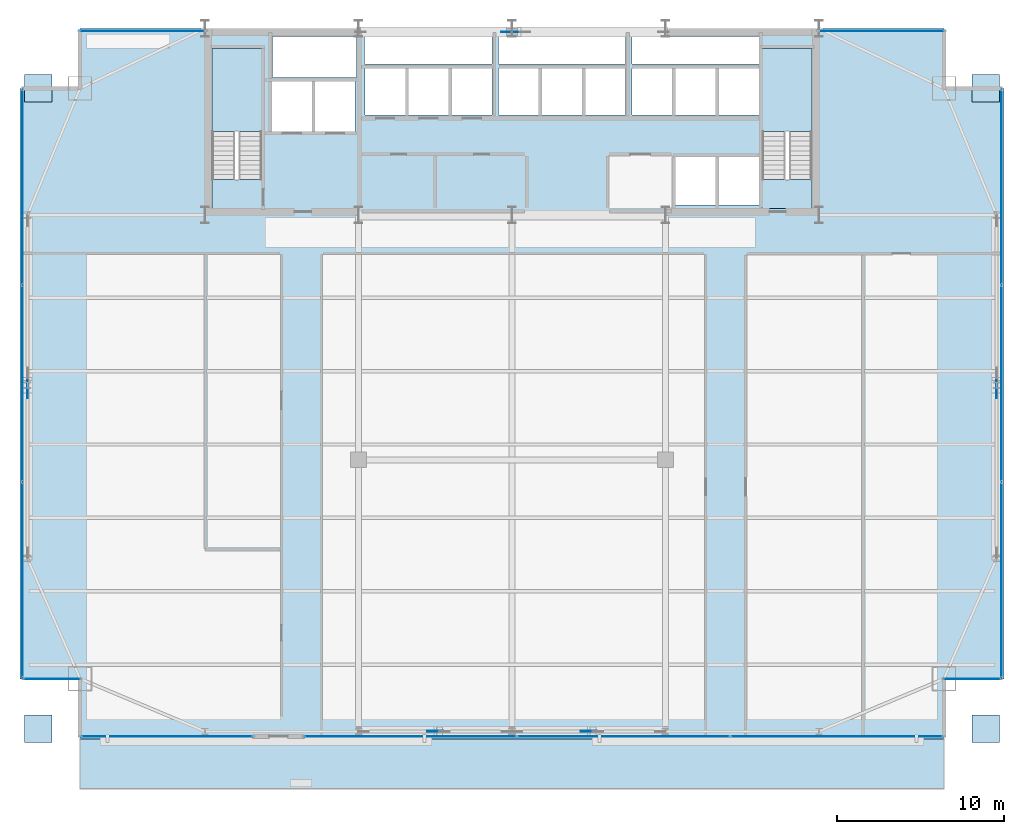
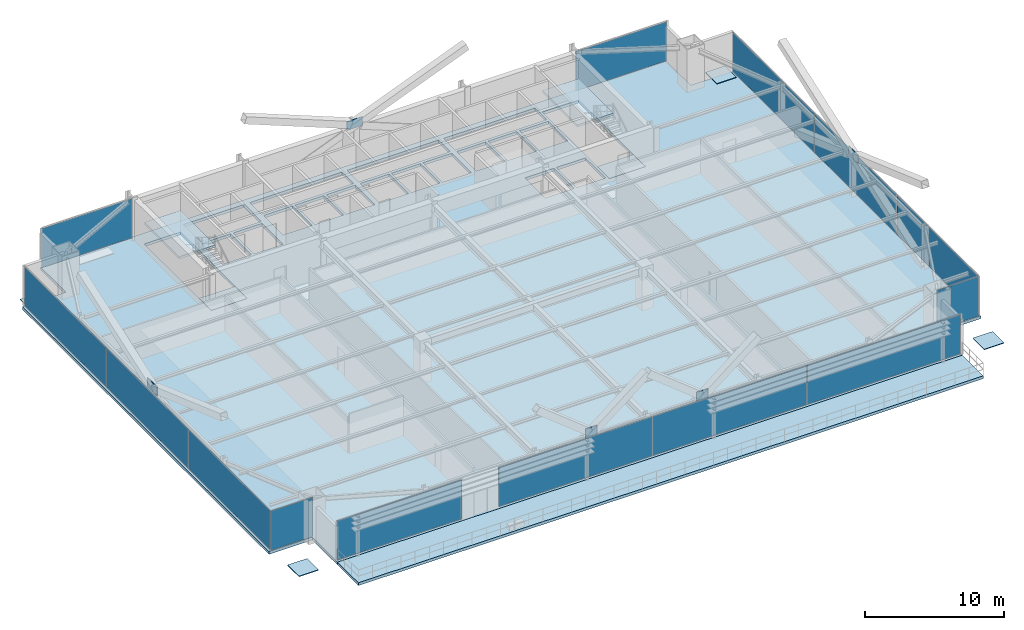
# One storey, part 27 of 35: 23 plates, 6 slabs, 10 elements without a shape of their own.
"""IFC4 building model written with IfcOpenShell, lengths in metres."""

from ifc_helpers import new_model, si_unit, direction, frame, origin, origin_2d, place, context, subcontext, project, spatial, polyline, rectangle, outline, extrude, source, transform, mapped, material, layer, layer_set, type_object, type_shapes, element, aggregate, save


model = new_model("IFC4")

# Units and contexts
model_context = context("Model", 3, precision=1e-05, world=origin(), true_north=direction((0.0, 1.0)))
body_context = subcontext(model_context, "Body", "Model", "MODEL_VIEW")
ifc_project = project(units=[si_unit("LENGTHUNIT", "METRE"), si_unit("AREAUNIT", "SQUARE_METRE"), si_unit("VOLUMEUNIT", "CUBIC_METRE"), si_unit("PLANEANGLEUNIT", "RADIAN"), si_unit("MASSUNIT", "GRAM", prefix="KILO")], contexts=[model_context])

# Site, building, storey
site_placement = place(None, origin())
site = spatial("IfcSite", under=ifc_project, at=site_placement, CompositionType="ELEMENT")
building_placement = place(site_placement, origin())
building = spatial("IfcBuilding", under=site, at=building_placement, Name="Varnel Quay Broadcast Tower", CompositionType="ELEMENT")
storey_placement = place(building_placement, frame((0.0, 0.0, 87.0)))
storey = spatial("IfcBuildingStorey", under=building, at=storey_placement, Name="L20", CompositionType="ELEMENT", Elevation=87.0)

# Slabs
ifc_material_1 = material(Name="Concrete CSA A23.3 C40/50", Category="concrete")
ifc_layer_1 = layer(ifc_material_1, 0.25, Name="Concrete CSA A23.3 C40/50")
ifc_layer_set_1 = layer_set([ifc_layer_1], Name="Concrete CSA A23.3 C40/50")
slab_type_1 = type_object("IfcSlabType", Name="Slab_ExtTerrace250", PredefinedType="FLOOR", material=ifc_layer_set_1)
slab_1_placement = place(storey_placement, frame((0.0, 0.0, -0.25)))
element("IfcSlab", 1, at=slab_1_placement, inside=storey, type_object=slab_type_1, Name="L20 Planted Lobe Terrace Slab 1", PredefinedType="FLOOR", context=body_context, shape_type="SweptSolid", body=[
    extrude(outline(polyline([(8.10009765625, 1.199951171875), (59.89990234375, 1.199951171875), (59.89990234375, 4.199951171875), (8.10009765625, 4.199951171875), (8.10009765625, 1.199951171875)])), origin(), (0.0, 0.0, 1.0), 0.25),
])
ifc_material_2 = material(Name="Concrete CSA A23.3 C50/60", Category="concrete")
ifc_layer_2 = layer(ifc_material_2, 0.25, Name="Concrete CSA A23.3 C50/60")
ifc_layer_set_2 = layer_set([ifc_layer_2], Name="Concrete CSA A23.3 C50/60")
slab_type_2 = type_object("IfcSlabType", Name="Slab_Floor250", PredefinedType="FLOOR", material=ifc_layer_set_2)
slab_2_placement = place(storey_placement, frame((0.0, 0.0, -0.25)))
element("IfcSlab", 2, at=slab_2_placement, inside=storey, type_object=slab_type_2, Name="L20 Structural Slab", PredefinedType="FLOOR", context=body_context, shape_type="SweptSolid", body=[
    extrude(outline(polyline([(8.10009765625, 4.199951171875), (59.89990234375, 4.199951171875), (59.89990234375, 7.800048828125), (63.5, 7.800048828125), (63.5, 43.199951171875), (59.89990234375, 43.199951171875), (59.89990234375, 46.800048828125), (8.10009765625, 46.800048828125), (8.10009765625, 43.199951171875), (4.5, 43.199951171875), (4.5, 7.800048828125), (8.10009765625, 7.800048828125), (8.10009765625, 4.199951171875)]), holes=[polyline([(16.0, 36.0), (16.0, 45.60009765625), (19.0, 45.60009765625), (19.0, 36.0), (16.0, 36.0)]), polyline([(19.60009765625, 43.60009765625), (22.0, 43.60009765625), (22.0, 40.60009765625), (19.60009765625, 40.60009765625), (19.60009765625, 43.60009765625)]), polyline([(22.199951171875, 43.60009765625), (24.60009765625, 43.60009765625), (24.60009765625, 40.60009765625), (22.199951171875, 40.60009765625), (22.199951171875, 43.60009765625)]), polyline([(25.199951171875, 44.39990234375), (27.60009765625, 44.39990234375), (27.60009765625, 41.60009765625), (25.199951171875, 41.60009765625), (25.199951171875, 44.39990234375)]), polyline([(27.800048828125, 44.39990234375), (30.199951171875, 44.39990234375), (30.199951171875, 41.60009765625), (27.800048828125, 41.60009765625), (27.800048828125, 44.39990234375)]), polyline([(30.39990234375, 44.39990234375), (32.800048828125, 44.39990234375), (32.800048828125, 41.60009765625), (30.39990234375, 41.60009765625), (30.39990234375, 44.39990234375)]), polyline([(33.199951171875, 44.39990234375), (35.60009765625, 44.39990234375), (35.60009765625, 41.60009765625), (33.199951171875, 41.60009765625), (33.199951171875, 44.39990234375)]), polyline([(38.199951171875, 44.39990234375), (38.199951171875, 41.60009765625), (35.800048828125, 41.60009765625), (35.800048828125, 44.39990234375), (38.199951171875, 44.39990234375)]), polyline([(24.679931640625, 46.300048828125), (24.679931640625, 43.85009765625), (19.64990234375, 43.85009765625), (19.64990234375, 46.300048828125), (24.679931640625, 46.300048828125)]), polyline([(25.14990234375, 46.300048828125), (32.800048828125, 46.300048828125), (32.800048828125, 44.64990234375), (25.14990234375, 44.64990234375), (25.14990234375, 46.300048828125)]), polyline([(43.800048828125, 39.10009765625), (46.199951171875, 39.10009765625), (46.199951171875, 36.199951171875), (43.800048828125, 36.199951171875), (43.800048828125, 39.10009765625)]), polyline([(46.39990234375, 39.10009765625), (48.800048828125, 39.10009765625), (48.800048828125, 36.199951171875), (46.39990234375, 36.199951171875), (46.39990234375, 39.10009765625)]), polyline([(49.0, 45.60009765625), (52.0, 45.60009765625), (52.0, 36.0), (49.0, 36.0), (49.0, 45.60009765625)]), polyline([(40.800048828125, 44.39990234375), (40.800048828125, 41.60009765625), (38.39990234375, 41.60009765625), (38.39990234375, 44.39990234375), (40.800048828125, 44.39990234375)]), polyline([(41.199951171875, 44.39990234375), (43.60009765625, 44.39990234375), (43.60009765625, 41.60009765625), (41.199951171875, 41.60009765625), (41.199951171875, 44.39990234375)]), polyline([(43.800048828125, 44.39990234375), (46.199951171875, 44.39990234375), (46.199951171875, 41.60009765625), (43.800048828125, 41.60009765625), (43.800048828125, 44.39990234375)]), polyline([(46.39990234375, 44.39990234375), (48.800048828125, 44.39990234375), (48.800048828125, 41.60009765625), (46.39990234375, 41.60009765625), (46.39990234375, 44.39990234375)]), polyline([(40.800048828125, 46.300048828125), (40.800048828125, 44.64990234375), (33.199951171875, 44.64990234375), (33.199951171875, 46.300048828125), (40.800048828125, 46.300048828125)]), polyline([(48.800048828125, 46.300048828125), (48.800048828125, 44.64990234375), (41.199951171875, 44.64990234375), (41.199951171875, 46.300048828125), (48.800048828125, 46.300048828125)])]), origin(), (0.0, 0.0, 1.0), 0.25),
])
ifc_layer_3 = layer(ifc_material_2, 0.25, Name="Concrete CSA A23.3 C50/60")
ifc_layer_set_3 = layer_set([ifc_layer_3], Name="Concrete CSA A23.3 C50/60")
slab_type_3 = type_object("IfcSlabType", Name="Slab_StairFloorLanding250", PredefinedType="FLOOR", material=ifc_layer_set_3)
slab_3_placement = place(storey_placement, frame((0.0, 0.0, -0.25)))
element("IfcSlab", 3, at=slab_3_placement, inside=storey, type_object=slab_type_3, Name="L20 ST-01 Structural Floor Landing Slab", PredefinedType="FLOOR", context=body_context, shape_type="SweptSolid", body=[
    extrude(outline(polyline([(19.0, 36.0), (19.0, 37.75), (16.0, 37.75), (16.0, 36.0), (19.0, 36.0)])), origin(), (0.0, 0.0, 1.0), 0.25),
])
slab_4_placement = place(storey_placement, frame((0.0, 0.0, -0.25)))
element("IfcSlab", 4, at=slab_4_placement, inside=storey, type_object=slab_type_3, Name="L20 ST-02 Structural Floor Landing Slab", PredefinedType="FLOOR", context=body_context, shape_type="SweptSolid", body=[
    extrude(outline(polyline([(52.0, 36.0), (52.0, 37.75), (49.0, 37.75), (49.0, 36.0), (52.0, 36.0)])), origin(), (0.0, 0.0, 1.0), 0.25),
])

# Stair, slab
ifc_material_3 = material(Name="Precast Structural Concrete C40/50", Category="concrete")
stair_type_1 = type_object("IfcStairType", Name="Stair_ST-01", PredefinedType="HALF_TURN_STAIR", material=ifc_material_3)
stair_1_placement = place(storey_placement, origin())
stair_1 = element("IfcStair", 5, at=stair_1_placement, inside=storey, type_object=stair_type_1, Name="L20 West Core Exit Stair 1", PredefinedType="HALF_TURN_STAIR")
ifc_layer_4 = layer(ifc_material_3, 0.199951171875, Name="Precast Structural Concrete C40/50")
ifc_layer_set_4 = layer_set([ifc_layer_4], Name="Precast Structural Concrete C40/50")
slab_type_4 = type_object("IfcSlabType", Name="Slab_StairLanding200", PredefinedType="LANDING", material=ifc_layer_set_4)
slab_5_placement = place(storey_placement, frame((0.0, 0.0, 1.699951171875)))
slab_5 = element("IfcSlab", 6, at=slab_5_placement, type_object=slab_type_4, Name="ST-01 landing 1", PredefinedType="LANDING", context=body_context, shape_type="SweptSolid", body=[
    extrude(outline(polyline([(19.0, 40.60009765625), (19.0, 45.60009765625), (16.0, 45.60009765625), (16.0, 40.60009765625), (19.0, 40.60009765625)])), origin(), (0.0, 0.0, 1.0), 0.199951171875),
])
aggregate(stair_1, [slab_5])

stair_type_2 = type_object("IfcStairType", Name="Stair_ST-02", PredefinedType="HALF_TURN_STAIR", material=ifc_material_3)
stair_2_placement = place(storey_placement, origin())
stair_2 = element("IfcStair", 7, at=stair_2_placement, inside=storey, type_object=stair_type_2, Name="L20 East Core Exit Stair 2", PredefinedType="HALF_TURN_STAIR")
slab_6_placement = place(storey_placement, frame((0.0, 0.0, 1.699951171875)))
slab_6 = element("IfcSlab", 8, at=slab_6_placement, type_object=slab_type_4, Name="ST-02 landing 1", PredefinedType="LANDING", context=body_context, shape_type="SweptSolid", body=[
    extrude(outline(polyline([(52.0, 40.60009765625), (52.0, 45.60009765625), (49.0, 45.60009765625), (49.0, 40.60009765625), (52.0, 40.60009765625)])), origin(), (0.0, 0.0, 1.0), 0.199951171875),
])
aggregate(stair_2, [slab_6])

# Plates
ifc_material_4 = material(Name="Structural Steel CSA G40.21 350WT", Category="steel")
ifc_layer_5 = layer(ifc_material_4, 0.050048828125, Name="Structural Steel CSA G40.21 350WT")
ifc_layer_set_5 = layer_set([ifc_layer_5], Name="Structural Steel CSA G40.21 350WT")
plate_type_1 = type_object("IfcPlateType", Name="Plate_BasePlate", PredefinedType="SHEET", material=ifc_layer_set_5)
shared_shape_1 = source(origin(), body_context, "Body", "SweptSolid", [
    extrude(rectangle(XDim=1.639892578125, YDim=1.639892578125, at=origin_2d()), origin(), (0.0, 0.0, 1.0), 0.050048828125),
])
type_shapes(plate_type_1, [shared_shape_1])
for number, where, z_axis, x_axis, name in (
    (9, (5.60009765625, 4.800048828125, -0.0048828125), (0.0, 0.0, 1.0), (1.0, 0.0, 0.0), "L19 Hollow Column Top Cap Plate MC-SW"),
    (10, (62.39990234375, 4.800048828125, -0.0048828125), (0.0, 0.0, 1.0), (1.0, 0.0, 0.0), "L19 Hollow Column Top Cap Plate MC-SE"),
    (11, (62.39990234375, 43.199951171875, -0.0048828125), (0.0, 0.0, 1.0), (1.0, 0.0, 0.0), "L19 Hollow Column Top Cap Plate MC-NE"),
    (12, (5.60009765625, 43.199951171875, -0.0048828125), (0.0, 0.0, 1.0), (1.0, 0.0, 0.0), "L19 Hollow Column Top Cap Plate MC-NW"),
):
    element("IfcPlate", number, at=place(storey_placement, frame(where, z_axis=z_axis, x_axis=x_axis)), inside=storey, type_object=plate_type_1, Name=name, PredefinedType="SHEET", context=body_context, shape_type="MappedRepresentation", body=[
        mapped(shared_shape_1, transform((0.0, 0.0, 0.0), x_axis=(1.0, 0.0, 0.0), y_axis=(0.0, 1.0, 0.0), z_axis=(0.0, 0.0, 1.0), scale=1.0)),
    ])
ifc_layer_6 = layer(ifc_material_4, 0.0400390625, Name="Structural Steel CSA G40.21 350WT")
ifc_layer_set_6 = layer_set([ifc_layer_6], Name="Structural Steel CSA G40.21 350WT")
plate_type_2 = type_object("IfcPlateType", Name="Plate_MegaGusset", PredefinedType="USERDEFINED", material=ifc_layer_set_6)
shared_shape_2 = source(origin(), body_context, "Body", "SweptSolid", [
    extrude(rectangle(XDim=0.9609375, YDim=0.0400390625, at=origin_2d()), origin(), (0.0, 0.0, 1.0), 0.85400390625),
])
for number, where, z_axis, x_axis, name in (
    (13, (29.39990234375, 4.64990234375, 3.248046875), (0.0, 0.0, 1.0), (1.0, 0.0, 0.0), "Zone 2 Mega-Brace S-C1T1 Central X-Crossing Gusset Plate"),
    (14, (38.60009765625, 4.64990234375, 3.248046875), (0.0, 0.0, 1.0), (1.0, 0.0, 0.0), "Zone 2 Mega-Brace S-C2T1 Central X-Crossing Gusset Plate"),
):
    element("IfcPlate", number, at=place(storey_placement, frame(where, z_axis=z_axis, x_axis=x_axis)), inside=storey, type_object=plate_type_2, Name=name, ObjectType="GUSSET_PLATE", PredefinedType="USERDEFINED", context=body_context, shape_type="MappedRepresentation", body=[
        mapped(shared_shape_2, transform((0.0, 0.0, 0.0), x_axis=(1.0, 0.0, 0.0), y_axis=(0.0, 1.0, 0.0), z_axis=(0.0, 0.0, 1.0), scale=1.0)),
    ])
shared_shape_3 = source(origin(), body_context, "Body", "SweptSolid", [
    extrude(rectangle(XDim=1.299072265625, YDim=0.0400390625, at=origin_2d()), origin(), (0.0, 0.0, 1.0), 0.781005859375),
])
plate_1_placement = place(storey_placement, frame((34.0, 46.580078125, 3.28466796875), z_axis=(0.0, 0.0, 1.0), x_axis=(1.0, 0.0, 0.0)))
element("IfcPlate", 15, at=plate_1_placement, inside=storey, type_object=plate_type_2, Name="Zone 2 Mega-Brace N-CT1 Central X-Crossing Gusset Plate", ObjectType="GUSSET_PLATE", PredefinedType="USERDEFINED", context=body_context, shape_type="MappedRepresentation", body=[
    mapped(shared_shape_3, transform((0.0, 0.0, 0.0), x_axis=(1.0, 0.0, 0.0), y_axis=(0.0, 1.0, 0.0), z_axis=(0.0, 0.0, 1.0), scale=1.0)),
])
shared_shape_4 = source(origin(), body_context, "Body", "SweptSolid", [
    extrude(rectangle(XDim=1.384033203125, YDim=0.0400390625, at=origin_2d()), origin(), (0.0, 0.0, 1.0), 0.77490234375),
])
type_shapes(plate_type_2, [shared_shape_2, shared_shape_3, shared_shape_4])
for number, where, z_axis, x_axis, name in (
    (16, (4.949951171875, 25.300048828125, 3.28759765625), (0.0, 0.0, 1.0), (0.0, 1.0, 0.0), "Zone 2 Mega-Brace W-FT1 Central X-Crossing Gusset Plate"),
    (17, (63.050048828125, 25.300048828125, 3.28759765625), (0.0, 0.0, 1.0), (0.0, 1.0, 0.0), "Zone 2 Mega-Brace E-FT1 Central X-Crossing Gusset Plate"),
):
    element("IfcPlate", number, at=place(storey_placement, frame(where, z_axis=z_axis, x_axis=x_axis)), inside=storey, type_object=plate_type_2, Name=name, ObjectType="GUSSET_PLATE", PredefinedType="USERDEFINED", context=body_context, shape_type="MappedRepresentation", body=[
        mapped(shared_shape_4, transform((0.0, 0.0, 0.0), x_axis=(1.0, 0.0, 0.0), y_axis=(0.0, 1.0, 0.0), z_axis=(0.0, 0.0, 1.0), scale=1.0)),
    ])

# Curtain wall, plate
ifc_material_5 = material(Name="Anodised Bronze Aluminium 6063-T6", Category="aluminium")
ifc_layer_7 = layer(ifc_material_5, 0.18994140625, Name="Anodised Bronze Aluminium 6063-T6")
ifc_layer_set_7 = layer_set([ifc_layer_7], Name="Anodised Bronze Aluminium 6063-T6")
curtain_wall_type_1 = type_object("IfcCurtainWallType", Name="CW_LowerTower", PredefinedType="NOTDEFINED", material=ifc_layer_set_7)
curtain_wall_1_placement = place(storey_placement, origin())
curtain_wall_1 = element("IfcCurtainWall", 18, at=curtain_wall_1_placement, inside=storey, type_object=curtain_wall_type_1, Name="L20 South Unitised Curtain Wall 1", PredefinedType="NOTDEFINED")
ifc_material_6 = material(Name="Triple-Glazed Bronze Low-E Architectural Glass", Category="glass")
ifc_layer_8 = layer(ifc_material_6, 0.031982421875, Name="Triple-Glazed Bronze Low-E Architectural Glass")
ifc_layer_set_8 = layer_set([ifc_layer_8], Name="Triple-Glazed Bronze Low-E Architectural Glass")
plate_type_3 = type_object("IfcPlateType", Name="Panel_CWS-02", PredefinedType="CURTAIN_PANEL", material=ifc_layer_set_8)
shared_shape_5 = source(origin(), body_context, "Body", "SweptSolid", [
    extrude(rectangle(XDim=10.280029296875, YDim=0.031982421875, at=origin_2d()), origin(), (0.0, 0.0, 1.0), 3.429931640625),
])
plate_2_placement = place(storey_placement, frame((13.31005859375, 4.35009765625, 0.06005859375), z_axis=(0.0, 0.0, 1.0), x_axis=(1.0, 0.0, 0.0)))
plate_2 = element("IfcPlate", 19, at=plate_2_placement, type_object=plate_type_3, Name="CWS-02 panel 1.1", PredefinedType="CURTAIN_PANEL", context=body_context, shape_type="MappedRepresentation", body=[
    mapped(shared_shape_5, transform((0.0, 0.0, 0.0), x_axis=(1.0, 0.0, 0.0), y_axis=(0.0, 1.0, 0.0), z_axis=(0.0, 0.0, 1.0), scale=1.0)),
])
aggregate(curtain_wall_1, [plate_2])

# Curtain wall, plates
curtain_wall_2_placement = place(storey_placement, origin())
curtain_wall_2 = element("IfcCurtainWall", 20, at=curtain_wall_2_placement, inside=storey, type_object=curtain_wall_type_1, Name="L20 South Unitised Curtain Wall 2", PredefinedType="NOTDEFINED")
ifc_material_7 = material(Name="Insulated Bronze Spandrel Glass", Category="glass")
ifc_layer_9 = layer(ifc_material_7, 0.031982421875, Name="Insulated Bronze Spandrel Glass")
ifc_layer_set_9 = layer_set([ifc_layer_9], Name="Insulated Bronze Spandrel Glass")
plate_type_4 = type_object("IfcPlateType", Name="PanelSp_CWS-02", PredefinedType="CURTAIN_PANEL", material=ifc_layer_set_9)
shared_shape_6 = source(origin(), body_context, "Body", "SweptSolid", [
    extrude(rectangle(XDim=12.70166015625, YDim=0.031982421875, at=origin_2d()), origin(), (0.0, 0.0, 1.0), 3.429931640625),
])
plate_3_placement = place(storey_placement, frame((27.90087890625, 4.35009765625, 0.06005859375), z_axis=(0.0, 0.0, 1.0), x_axis=(1.0, 0.0, 0.0)))
plate_3 = element("IfcPlate", 21, at=plate_3_placement, type_object=plate_type_4, Name="CWS-02 panel 1.1", PredefinedType="CURTAIN_PANEL", context=body_context, shape_type="MappedRepresentation", body=[
    mapped(shared_shape_6, transform((0.0, 0.0, 0.0), x_axis=(1.0, 0.0, 0.0), y_axis=(0.0, 1.0, 0.0), z_axis=(0.0, 0.0, 1.0), scale=1.0)),
])
shared_shape_7 = source(origin(), body_context, "Body", "SweptSolid", [
    extrude(rectangle(XDim=12.736572265625, YDim=0.031982421875, at=origin_2d()), origin(), (0.0, 0.0, 1.0), 3.429931640625),
])
plate_4_placement = place(storey_placement, frame((40.68994140625, 4.35009765625, 0.06005859375), z_axis=(0.0, 0.0, 1.0), x_axis=(1.0, 0.0, 0.0)))
plate_4 = element("IfcPlate", 22, at=plate_4_placement, type_object=plate_type_4, Name="CWS-02 panel 2.1", PredefinedType="CURTAIN_PANEL", context=body_context, shape_type="MappedRepresentation", body=[
    mapped(shared_shape_7, transform((0.0, 0.0, 0.0), x_axis=(1.0, 0.0, 0.0), y_axis=(0.0, 1.0, 0.0), z_axis=(0.0, 0.0, 1.0), scale=1.0)),
])
shared_shape_8 = source(origin(), body_context, "Body", "SweptSolid", [
    extrude(rectangle(XDim=12.70166015625, YDim=0.031982421875, at=origin_2d()), origin(), (0.0, 0.0, 1.0), 3.429931640625),
])
plate_5_placement = place(storey_placement, frame((53.479248046875, 4.35009765625, 0.06005859375), z_axis=(0.0, 0.0, 1.0), x_axis=(1.0, 0.0, 0.0)))
plate_5 = element("IfcPlate", 23, at=plate_5_placement, type_object=plate_type_3, Name="CWS-02 panel 3.1", PredefinedType="CURTAIN_PANEL", context=body_context, shape_type="MappedRepresentation", body=[
    mapped(shared_shape_8, transform((0.0, 0.0, 0.0), x_axis=(1.0, 0.0, 0.0), y_axis=(0.0, 1.0, 0.0), z_axis=(0.0, 0.0, 1.0), scale=1.0)),
])
aggregate(curtain_wall_2, [plate_3, plate_4, plate_5])

curtain_wall_3_placement = place(storey_placement, origin())
curtain_wall_3 = element("IfcCurtainWall", 24, at=curtain_wall_3_placement, inside=storey, type_object=curtain_wall_type_1, Name="L20 West Unitised Curtain Wall", PredefinedType="NOTDEFINED")
shared_shape_9 = source(origin(), body_context, "Body", "SweptSolid", [
    extrude(rectangle(XDim=11.695068359375, YDim=0.031982421875, at=origin_2d()), origin(), (0.0, 0.0, 1.0), 3.429931640625),
])
plate_6_placement = place(storey_placement, frame((4.64990234375, 13.717529296875, 0.06005859375), z_axis=(0.0, 0.0, 1.0), x_axis=(0.0, 1.0, 0.0)))
plate_6 = element("IfcPlate", 25, at=plate_6_placement, type_object=plate_type_4, Name="CWS-02 panel 1.1", PredefinedType="CURTAIN_PANEL", context=body_context, shape_type="MappedRepresentation", body=[
    mapped(shared_shape_9, transform((0.0, 0.0, 0.0), x_axis=(1.0, 0.0, 0.0), y_axis=(0.0, 1.0, 0.0), z_axis=(0.0, 0.0, 1.0), scale=1.0)),
])
plate_7_placement = place(storey_placement, frame((4.64990234375, 37.282470703125, 0.06005859375), z_axis=(0.0, 0.0, 1.0), x_axis=(0.0, 1.0, 0.0)))
plate_7 = element("IfcPlate", 26, at=plate_7_placement, type_object=plate_type_4, Name="CWS-02 panel 3.1", PredefinedType="CURTAIN_PANEL", context=body_context, shape_type="MappedRepresentation", body=[
    mapped(shared_shape_9, transform((0.0, 0.0, 0.0), x_axis=(1.0, 0.0, 0.0), y_axis=(0.0, 1.0, 0.0), z_axis=(0.0, 0.0, 1.0), scale=1.0)),
])

curtain_wall_4_placement = place(storey_placement, origin())
curtain_wall_4 = element("IfcCurtainWall", 27, at=curtain_wall_4_placement, inside=storey, type_object=curtain_wall_type_1, Name="L20 East Unitised Curtain Wall", PredefinedType="NOTDEFINED")
plate_8_placement = place(storey_placement, frame((63.35009765625, 13.717529296875, 0.06005859375), z_axis=(0.0, 0.0, 1.0), x_axis=(0.0, 1.0, 0.0)))
plate_8 = element("IfcPlate", 28, at=plate_8_placement, type_object=plate_type_4, Name="CWS-02 panel 1.1", PredefinedType="CURTAIN_PANEL", context=body_context, shape_type="MappedRepresentation", body=[
    mapped(shared_shape_9, transform((0.0, 0.0, 0.0), x_axis=(1.0, 0.0, 0.0), y_axis=(0.0, 1.0, 0.0), z_axis=(0.0, 0.0, 1.0), scale=1.0)),
])
plate_9_placement = place(storey_placement, frame((63.35009765625, 37.282470703125, 0.06005859375), z_axis=(0.0, 0.0, 1.0), x_axis=(0.0, 1.0, 0.0)))
plate_9 = element("IfcPlate", 29, at=plate_9_placement, type_object=plate_type_4, Name="CWS-02 panel 3.1", PredefinedType="CURTAIN_PANEL", context=body_context, shape_type="MappedRepresentation", body=[
    mapped(shared_shape_9, transform((0.0, 0.0, 0.0), x_axis=(1.0, 0.0, 0.0), y_axis=(0.0, 1.0, 0.0), z_axis=(0.0, 0.0, 1.0), scale=1.0)),
])

# Plate
shared_shape_10 = source(origin(), body_context, "Body", "SweptSolid", [
    extrude(rectangle(XDim=11.72998046875, YDim=0.031982421875, at=origin_2d()), origin(), (0.0, 0.0, 1.0), 3.429931640625),
])
type_shapes(plate_type_4, [shared_shape_6, shared_shape_7, shared_shape_9, shared_shape_10])
plate_10_placement = place(storey_placement, frame((4.64990234375, 25.5, 0.06005859375), z_axis=(0.0, 0.0, 1.0), x_axis=(0.0, 1.0, 0.0)))
plate_10 = element("IfcPlate", 30, at=plate_10_placement, type_object=plate_type_4, Name="CWS-02 panel 2.1", PredefinedType="CURTAIN_PANEL", context=body_context, shape_type="MappedRepresentation", body=[
    mapped(shared_shape_10, transform((0.0, 0.0, 0.0), x_axis=(1.0, 0.0, 0.0), y_axis=(0.0, 1.0, 0.0), z_axis=(0.0, 0.0, 1.0), scale=1.0)),
])

aggregate(curtain_wall_3, [plate_6, plate_10, plate_7])

plate_11_placement = place(storey_placement, frame((63.35009765625, 25.5, 0.06005859375), z_axis=(0.0, 0.0, 1.0), x_axis=(0.0, 1.0, 0.0)))
plate_11 = element("IfcPlate", 31, at=plate_11_placement, type_object=plate_type_4, Name="CWS-02 panel 2.1", PredefinedType="CURTAIN_PANEL", context=body_context, shape_type="MappedRepresentation", body=[
    mapped(shared_shape_10, transform((0.0, 0.0, 0.0), x_axis=(1.0, 0.0, 0.0), y_axis=(0.0, 1.0, 0.0), z_axis=(0.0, 0.0, 1.0), scale=1.0)),
])

aggregate(curtain_wall_4, [plate_8, plate_11, plate_9])

# Curtain wall, plate
ifc_layer_10 = layer(ifc_material_5, 0.18994140625, Name="Anodised Bronze Aluminium 6063-T6")
ifc_layer_set_10 = layer_set([ifc_layer_10], Name="Anodised Bronze Aluminium 6063-T6")
curtain_wall_type_2 = type_object("IfcCurtainWallType", Name="CW_NotchCorner", PredefinedType="NOTDEFINED", material=ifc_layer_set_10)
curtain_wall_5_placement = place(storey_placement, origin())
curtain_wall_5 = element("IfcCurtainWall", 32, at=curtain_wall_5_placement, inside=storey, type_object=curtain_wall_type_2, Name="L20 SW Notch Curtain Wall", PredefinedType="NOTDEFINED")
ifc_layer_11 = layer(ifc_material_6, 0.028076171875, Name="Triple-Glazed Bronze Low-E Architectural Glass")
ifc_layer_set_11 = layer_set([ifc_layer_11], Name="Triple-Glazed Bronze Low-E Architectural Glass")
plate_type_5 = type_object("IfcPlateType", Name="Panel_CWS-04", PredefinedType="CURTAIN_PANEL", material=ifc_layer_set_11)
shared_shape_11 = source(origin(), body_context, "Body", "SweptSolid", [
    extrude(rectangle(XDim=3.409912109375, YDim=0.028076171875, at=origin_2d()), origin(), (0.0, 0.0, 1.0), 3.43994140625),
])
type_shapes(plate_type_5, [shared_shape_11])
plate_12_placement = place(storey_placement, frame((6.4150390625, 7.800048828125, 0.054931640625), z_axis=(0.0, 0.0, 1.0), x_axis=(1.0, 0.0, 0.0)))
plate_12 = element("IfcPlate", 33, at=plate_12_placement, type_object=plate_type_5, Name="CWS-04 panel 1.1", PredefinedType="CURTAIN_PANEL", context=body_context, shape_type="MappedRepresentation", body=[
    mapped(shared_shape_11, transform((0.0, 0.0, 0.0), x_axis=(1.0, 0.0, 0.0), y_axis=(0.0, 1.0, 0.0), z_axis=(0.0, 0.0, 1.0), scale=1.0)),
])
aggregate(curtain_wall_5, [plate_12])

curtain_wall_6_placement = place(storey_placement, origin())
curtain_wall_6 = element("IfcCurtainWall", 34, at=curtain_wall_6_placement, inside=storey, type_object=curtain_wall_type_2, Name="L20 SE Notch Curtain Wall", PredefinedType="NOTDEFINED")
plate_13_placement = place(storey_placement, frame((61.5849609375, 7.800048828125, 0.054931640625), z_axis=(0.0, 0.0, 1.0), x_axis=(1.0, 0.0, 0.0)))
plate_13 = element("IfcPlate", 35, at=plate_13_placement, type_object=plate_type_5, Name="CWS-04 panel 1.1", PredefinedType="CURTAIN_PANEL", context=body_context, shape_type="MappedRepresentation", body=[
    mapped(shared_shape_11, transform((0.0, 0.0, 0.0), x_axis=(1.0, 0.0, 0.0), y_axis=(0.0, 1.0, 0.0), z_axis=(0.0, 0.0, 1.0), scale=1.0)),
])
aggregate(curtain_wall_6, [plate_13])

curtain_wall_7_placement = place(storey_placement, origin())
curtain_wall_7 = element("IfcCurtainWall", 36, at=curtain_wall_7_placement, inside=storey, type_object=curtain_wall_type_1, Name="L20 NW Wing Curtain Wall", PredefinedType="NOTDEFINED")
shared_shape_12 = source(origin(), body_context, "Body", "SweptSolid", [
    extrude(rectangle(XDim=7.5400390625, YDim=0.031982421875, at=origin_2d()), origin(), (0.0, 0.0, 1.0), 3.429931640625),
])
type_shapes(plate_type_3, [shared_shape_5, shared_shape_8, shared_shape_12])
plate_14_placement = place(storey_placement, frame((11.860107421875, 46.64990234375, 0.06005859375), z_axis=(0.0, 0.0, 1.0), x_axis=(1.0, 0.0, 0.0)))
plate_14 = element("IfcPlate", 37, at=plate_14_placement, type_object=plate_type_3, Name="CWS-02 panel 1.1", PredefinedType="CURTAIN_PANEL", context=body_context, shape_type="MappedRepresentation", body=[
    mapped(shared_shape_12, transform((0.0, 0.0, 0.0), x_axis=(1.0, 0.0, 0.0), y_axis=(0.0, 1.0, 0.0), z_axis=(0.0, 0.0, 1.0), scale=1.0)),
])
aggregate(curtain_wall_7, [plate_14])

curtain_wall_8_placement = place(storey_placement, origin())
curtain_wall_8 = element("IfcCurtainWall", 38, at=curtain_wall_8_placement, inside=storey, type_object=curtain_wall_type_1, Name="L20 NE Wing Curtain Wall", PredefinedType="NOTDEFINED")
plate_15_placement = place(storey_placement, frame((56.139892578125, 46.64990234375, 0.06005859375), z_axis=(0.0, 0.0, 1.0), x_axis=(1.0, 0.0, 0.0)))
plate_15 = element("IfcPlate", 39, at=plate_15_placement, type_object=plate_type_3, Name="CWS-02 panel 1.1", PredefinedType="CURTAIN_PANEL", context=body_context, shape_type="MappedRepresentation", body=[
    mapped(shared_shape_12, transform((0.0, 0.0, 0.0), x_axis=(1.0, 0.0, 0.0), y_axis=(0.0, 1.0, 0.0), z_axis=(0.0, 0.0, 1.0), scale=1.0)),
])
aggregate(curtain_wall_8, [plate_15])

save(model, "model.ifc")
